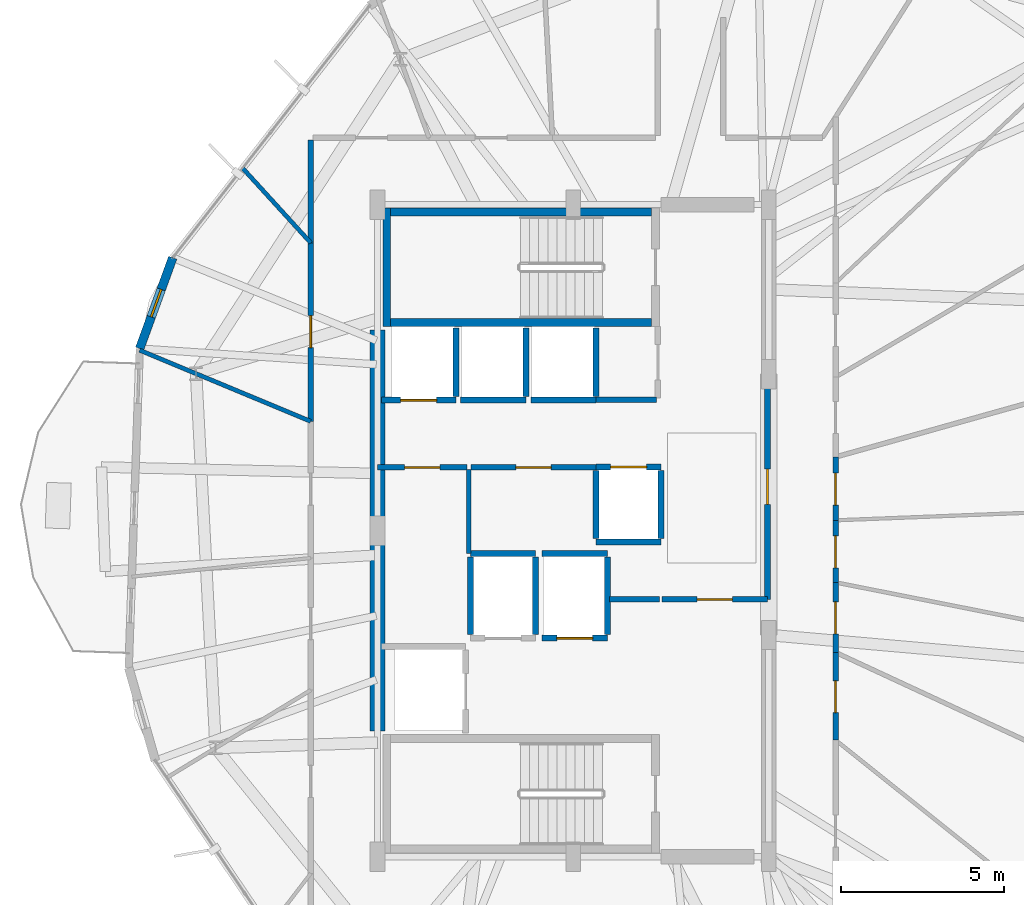
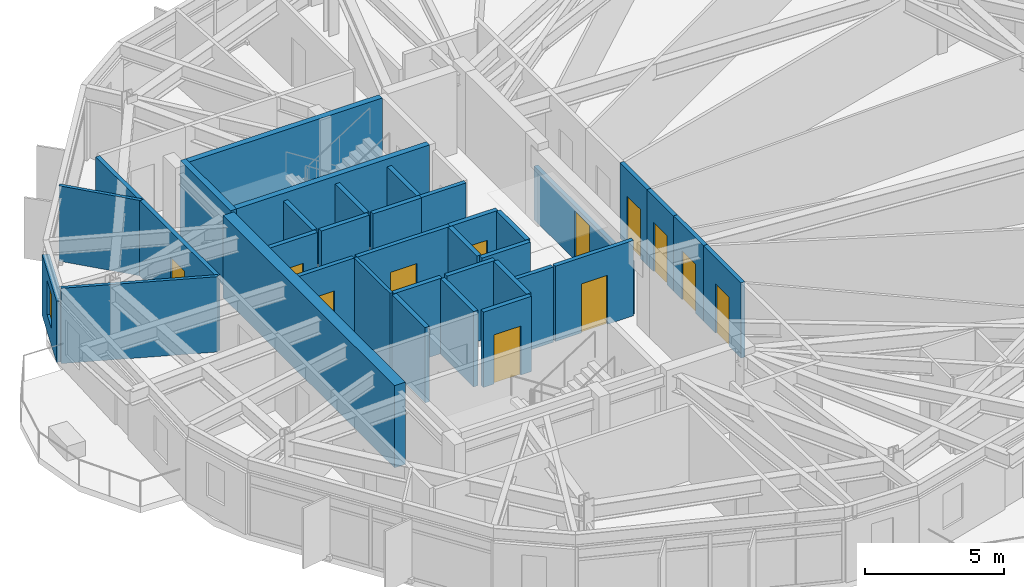
# One storey, part 25 of 30: 36 walls, 12 doors, 1 window, 13 openings.
"""IFC4 building model written with IfcOpenShell, lengths in metres."""

from ifc_helpers import new_model, si_unit, direction, frame, frame_2d, origin, place, context, subcontext, project, spatial, rectangle, extrude, material, layer, layer_set, type_object, element, fill, save


model = new_model("IFC4")

# Units and contexts
model_context = context("Model", 3, precision=1e-05, world=origin(), true_north=direction((0.0, 1.0)))
body_context = subcontext(model_context, "Body", "Model", "MODEL_VIEW")
ifc_project = project(units=[si_unit("LENGTHUNIT", "METRE"), si_unit("AREAUNIT", "SQUARE_METRE"), si_unit("VOLUMEUNIT", "CUBIC_METRE"), si_unit("PLANEANGLEUNIT", "RADIAN"), si_unit("MASSUNIT", "GRAM", prefix="KILO")], contexts=[model_context])

# Site, building, storey
site_placement = place(None, origin())
site = spatial("IfcSite", under=ifc_project, at=site_placement, CompositionType="ELEMENT")
building_placement = place(site_placement, origin())
building = spatial("IfcBuilding", under=site, at=building_placement, Name="Soratama Intermodal Tower", CompositionType="ELEMENT")
storey_placement = place(building_placement, frame((0.0, 0.0, 223.0)))
storey = spatial("IfcBuildingStorey", under=building, at=storey_placement, Name="L56", CompositionType="ELEMENT", Elevation=223.0)

# Wall, opening, window
ifc_material_1 = material(Name="Concrete f'c 42 MPa", Category="concrete")
ifc_layer_1 = layer(ifc_material_1, 0.27001953125)
ifc_layer_set_1 = layer_set([ifc_layer_1], Name="Concrete f'c 42 MPa")
wall_type_1 = type_object("IfcWallType", Name="EW-CRN-270", PredefinedType="SOLIDWALL", material=ifc_layer_set_1)
wall_1_placement = place(storey_placement, frame((26.317626953125, 33.37060546875, 0.0), z_axis=(0.0, 0.0, 1.0), x_axis=(-0.341716630291, -0.939803034993, 0.0)))
wall_1 = element("IfcWall", 1, at=wall_1_placement, inside=storey, type_object=wall_type_1, Name="L56 Corner Closure Wall 03", PredefinedType="SOLIDWALL", context=body_context, shape_type="SweptSolid", body=[
    extrude(rectangle(XDim=2.96630859375, YDim=0.27001953125, at=frame_2d((1.483154296875, 0.0))), origin(), (0.0, 0.0, 1.0), 2.678955078125),
])
opening_1_placement = place(wall_1_placement, frame((1.033203125, 0.0, 0.75)))
opening_1 = element("IfcOpeningElement", 2, at=opening_1_placement, cuts=wall_1, Name="Opening WN-6", PredefinedType="OPENING", context=body_context, shape_type="SweptSolid", body=[
    extrude(rectangle(XDim=0.89990234375, YDim=1.5, at=frame_2d((0.449951171875, 0.75))), frame((0.0, 0.14501953125, 0.0), z_axis=(0.0, -1.0, 0.0), x_axis=(1.0, 0.0, 0.0)), (0.0, 0.0, 1.0), 0.2900390625),
])
ifc_material_2 = material(Name="Double-glazed aluminium window", Category="aluminium")
window_type = type_object("IfcWindowType", Name="WN-FAC-900", PartitioningType="SINGLE_PANEL", PredefinedType="WINDOW", material=ifc_material_2)
window_placement = place(opening_1_placement, origin())
window = element("IfcWindow", 3, at=window_placement, inside=storey, type_object=window_type, Name="L56 Corner Window 03", OverallHeight=1.5, OverallWidth=0.89990234375, PartitioningType="SINGLE_PANEL", PredefinedType="WINDOW", context=body_context, shape_type="SweptSolid", body=[
    extrude(rectangle(XDim=0.89990234375, YDim=1.5, at=frame_2d((0.449951171875, 0.75))), frame((0.0, 0.030029296875, 0.0), z_axis=(0.0, -1.0, 0.0), x_axis=(1.0, 0.0, 0.0)), (0.0, 0.0, 1.0), 0.06005859375),
])
fill(opening_1, window)

# Wall, opening, door
ifc_material_3 = material(Name="Fire-rated gypsum stud partition", Category="concrete")
ifc_layer_2 = layer(ifc_material_3, 0.169921875)
ifc_layer_set_2 = layer_set([ifc_layer_2], Name="Fire-rated gypsum stud partition")
wall_type_2 = type_object("IfcWallType", Name="IW-PART-R170", PredefinedType="PARTITIONING", material=ifc_layer_set_2)
wall_2_placement = place(storey_placement, frame((44.56005859375, 29.800048828125, 0.0), z_axis=(0.0, 0.0, 1.0), x_axis=(0.0, -1.0, 0.0)))
wall_2 = element("IfcWall", 4, at=wall_2_placement, inside=storey, type_object=wall_type_2, Name="L56 Partition W-L56-TP012", PredefinedType="PARTITIONING", context=body_context, shape_type="SweptSolid", body=[
    extrude(rectangle(XDim=6.91015625, YDim=0.169921875, at=frame_2d((3.455078125, 0.0))), origin(), (0.0, 0.0, 1.0), 2.340087890625),
])
opening_2_placement = place(wall_2_placement, frame((2.9150390625, 0.0, 0.0)))
opening_2 = element("IfcOpeningElement", 5, at=opening_2_placement, cuts=wall_2, Name="Opening ID-1", PredefinedType="OPENING", context=body_context, shape_type="SweptSolid", body=[
    extrude(rectangle(XDim=1.080078125, YDim=2.14990234375, at=frame_2d((0.5400390625, 1.074951171875))), frame((0.0, 0.094970703125, 0.0), z_axis=(0.0, -1.0, 0.0), x_axis=(1.0, 0.0, 0.0)), (0.0, 0.0, 1.0), 0.18994140625),
])
ifc_material_4 = material(Name="Solid hardwood acoustic door", Category="wood")
door_type_1 = type_object("IfcDoorType", Name="DR-LOB-FD60", OperationType="NOTDEFINED", PredefinedType="DOOR", material=ifc_material_4)
door_1_placement = place(opening_2_placement, origin())
door_1 = element("IfcDoor", 6, at=door_1_placement, inside=storey, type_object=door_type_1, Name="L56 Door D-L56-TP003", OperationType="SINGLE_SWING_RIGHT", OverallHeight=2.14990234375, OverallWidth=1.080078125, PredefinedType="DOOR", context=body_context, shape_type="SweptSolid", body=[
    extrude(rectangle(XDim=1.080078125, YDim=2.14990234375, at=frame_2d((0.5400390625, 1.074951171875))), frame((0.0, 0.02490234375, 0.0), z_axis=(0.0, -1.0, 0.0), x_axis=(1.0, 0.0, 0.0)), (0.0, 0.0, 1.0), 0.050048828125),
])
fill(opening_2, door_1)

wall_3_placement = place(storey_placement, frame((30.550048828125, 28.35107421875, 0.0), z_axis=(0.0, 0.0, 1.0), x_axis=(0.0, 1.0, 0.0)))
wall_3 = element("IfcWall", 7, at=wall_3_placement, inside=storey, type_object=wall_type_2, Name="L56 Partition W-L56-TP018", PredefinedType="PARTITIONING", context=body_context, shape_type="SweptSolid", body=[
    extrude(rectangle(XDim=5.475830078125, YDim=0.169921875, at=frame_2d((2.73779296875, 0.0))), origin(), (0.0, 0.0, 1.0), 3.300048828125),
])
opening_3_placement = place(wall_3_placement, frame((2.262939453125, 0.0, 0.0)))
opening_3 = element("IfcOpeningElement", 8, at=opening_3_placement, cuts=wall_3, Name="Opening ID-5", PredefinedType="OPENING", context=body_context, shape_type="SweptSolid", body=[
    extrude(rectangle(XDim=0.97998046875, YDim=2.14990234375, at=frame_2d((0.489990234375, 1.074951171875))), frame((0.0, 0.094970703125, 0.0), z_axis=(0.0, -1.0, 0.0), x_axis=(1.0, 0.0, 0.0)), (0.0, 0.0, 1.0), 0.18994140625),
])
ifc_material_5 = material(Name="Solid hardwood acoustic door", Category="wood")
door_type_2 = type_object("IfcDoorType", Name="DR-OFF-980", OperationType="NOTDEFINED", PredefinedType="DOOR", material=ifc_material_5)
door_2_placement = place(opening_3_placement, origin())
door_2 = element("IfcDoor", 9, at=door_2_placement, inside=storey, type_object=door_type_2, Name="L56 Door D-L56-TP006", OperationType="SINGLE_SWING_LEFT", OverallHeight=2.14990234375, OverallWidth=0.97998046875, PredefinedType="DOOR", context=body_context, shape_type="SweptSolid", body=[
    extrude(rectangle(XDim=0.97998046875, YDim=2.14990234375, at=frame_2d((0.489990234375, 1.074951171875))), frame((0.0, 0.02490234375, 0.0), z_axis=(0.0, -1.0, 0.0), x_axis=(1.0, 0.0, 0.0)), (0.0, 0.0, 1.0), 0.050048828125),
])
fill(opening_3, door_2)

wall_4_placement = place(storey_placement, frame((39.300048828125, 26.93994140625, 0.0), z_axis=(0.0, 0.0, 1.0), x_axis=(-1.0, 0.0, 0.0)))
wall_4 = element("IfcWall", 10, at=wall_4_placement, inside=storey, type_object=wall_type_2, Name="L56 Partition W-L56-TP027", PredefinedType="PARTITIONING", context=body_context, shape_type="SweptSolid", body=[
    extrude(rectangle(XDim=3.840087890625, YDim=0.169921875, at=frame_2d((1.919921875, 0.0))), origin(), (0.0, 0.0, 1.0), 3.300048828125),
])
opening_4_placement = place(wall_4_placement, frame((1.3798828125, 0.0, 0.0)))
opening_4 = element("IfcOpeningElement", 11, at=opening_4_placement, cuts=wall_4, Name="Opening ID-1", PredefinedType="OPENING", context=body_context, shape_type="SweptSolid", body=[
    extrude(rectangle(XDim=1.080078125, YDim=2.14990234375, at=frame_2d((0.5400390625, 1.074951171875))), frame((0.0, 0.094970703125, 0.0), z_axis=(0.0, -1.0, 0.0), x_axis=(1.0, 0.0, 0.0)), (0.0, 0.0, 1.0), 0.18994140625),
])
door_3_placement = place(opening_4_placement, origin())
door_3 = element("IfcDoor", 12, at=door_3_placement, inside=storey, type_object=door_type_1, Name="L56 Door D-L56-TP011", OperationType="SINGLE_SWING_RIGHT", OverallHeight=2.14990234375, OverallWidth=1.080078125, PredefinedType="DOOR", context=body_context, shape_type="SweptSolid", body=[
    extrude(rectangle(XDim=1.080078125, YDim=2.14990234375, at=frame_2d((0.5400390625, 1.074951171875))), frame((0.0, 0.02490234375, 0.0), z_axis=(0.0, -1.0, 0.0), x_axis=(1.0, 0.0, 0.0)), (0.0, 0.0, 1.0), 0.050048828125),
])
fill(opening_4, door_3)

wall_5_placement = place(storey_placement, frame((41.320068359375, 22.889892578125, 0.0), z_axis=(0.0, 0.0, 1.0), x_axis=(1.0, 0.0, 0.0)))
wall_5 = element("IfcWall", 13, at=wall_5_placement, inside=storey, type_object=wall_type_2, Name="L56 Partition W-L56-TP030", PredefinedType="PARTITIONING", context=body_context, shape_type="SweptSolid", body=[
    extrude(rectangle(XDim=3.239990234375, YDim=0.169921875, at=frame_2d((1.6201171875, 0.0))), origin(), (0.0, 0.0, 1.0), 3.300048828125),
])
opening_5_placement = place(wall_5_placement, frame((1.080078125, 0.0, 0.0)))
opening_5 = element("IfcOpeningElement", 14, at=opening_5_placement, cuts=wall_5, Name="Opening ID-0", PredefinedType="OPENING", context=body_context, shape_type="SweptSolid", body=[
    extrude(rectangle(XDim=1.080078125, YDim=2.14990234375, at=frame_2d((0.5400390625, 1.074951171875))), frame((0.0, 0.094970703125, 0.0), z_axis=(0.0, -1.0, 0.0), x_axis=(1.0, 0.0, 0.0)), (0.0, 0.0, 1.0), 0.18994140625),
])
ifc_material_6 = material(Name="Solid hardwood acoustic door", Category="wood")
door_type_3 = type_object("IfcDoorType", Name="DR-LOB-FD90", OperationType="NOTDEFINED", PredefinedType="DOOR", material=ifc_material_6)
door_4_placement = place(opening_5_placement, origin())
door_4 = element("IfcDoor", 15, at=door_4_placement, inside=storey, type_object=door_type_3, Name="L56 Door D-L56-TP014", OperationType="SINGLE_SWING_LEFT", OverallHeight=2.14990234375, OverallWidth=1.080078125, PredefinedType="DOOR", context=body_context, shape_type="SweptSolid", body=[
    extrude(rectangle(XDim=1.080078125, YDim=2.14990234375, at=frame_2d((0.5400390625, 1.074951171875))), frame((0.0, 0.02490234375, 0.0), z_axis=(0.0, -1.0, 0.0), x_axis=(1.0, 0.0, 0.0)), (0.0, 0.0, 1.0), 0.050048828125),
])
fill(opening_5, door_4)

# Wall
wall_6_placement = place(storey_placement, frame((30.550048828125, 33.826904296875, 0.0), z_axis=(0.0, 0.0, 1.0), x_axis=(0.0, 1.0, 0.0)))
element("IfcWall", 16, at=wall_6_placement, inside=storey, type_object=wall_type_2, Name="L56 Partition W-L56-TP033", PredefinedType="PARTITIONING", context=body_context, shape_type="SweptSolid", body=[
    extrude(rectangle(XDim=3.153076171875, YDim=0.169921875, at=frame_2d((1.57666015625, 0.0))), origin(), (0.0, 0.0, 1.0), 3.300048828125),
])

# Wall, opening, door
wall_7_placement = place(storey_placement, frame((35.340087890625, 26.93994140625, 0.0), z_axis=(0.0, 0.0, 1.0), x_axis=(-1.0, 0.0, 0.0)))
wall_7 = element("IfcWall", 17, at=wall_7_placement, inside=storey, type_object=wall_type_2, Name="L56 Partition W-L56-TP037", PredefinedType="PARTITIONING", context=body_context, shape_type="SweptSolid", body=[
    extrude(rectangle(XDim=2.739990234375, YDim=0.169921875, at=frame_2d((1.3701171875, 0.0))), origin(), (0.0, 0.0, 1.0), 3.300048828125),
])
opening_6_placement = place(wall_7_placement, frame((0.830078125, 0.0, 0.0)))
opening_6 = element("IfcOpeningElement", 18, at=opening_6_placement, cuts=wall_7, Name="Opening ID-1", PredefinedType="OPENING", context=body_context, shape_type="SweptSolid", body=[
    extrude(rectangle(XDim=1.080078125, YDim=2.14990234375, at=frame_2d((0.5400390625, 1.074951171875))), frame((0.0, 0.094970703125, 0.0), z_axis=(0.0, -1.0, 0.0), x_axis=(1.0, 0.0, 0.0)), (0.0, 0.0, 1.0), 0.18994140625),
])
door_5_placement = place(opening_6_placement, origin())
door_5 = element("IfcDoor", 19, at=door_5_placement, inside=storey, type_object=door_type_1, Name="L56 Door D-L56-TP017", OperationType="SINGLE_SWING_RIGHT", OverallHeight=2.14990234375, OverallWidth=1.080078125, PredefinedType="DOOR", context=body_context, shape_type="SweptSolid", body=[
    extrude(rectangle(XDim=1.080078125, YDim=2.14990234375, at=frame_2d((0.5400390625, 1.074951171875))), frame((0.0, 0.02490234375, 0.0), z_axis=(0.0, -1.0, 0.0), x_axis=(1.0, 0.0, 0.0)), (0.0, 0.0, 1.0), 0.050048828125),
])
fill(opening_6, door_5)

wall_8_placement = place(storey_placement, frame((46.64990234375, 21.264892578125, 0.0), z_axis=(0.0, 0.0, 1.0), x_axis=(0.0, -1.0, 0.0)))
wall_8 = element("IfcWall", 20, at=wall_8_placement, inside=storey, type_object=wall_type_2, Name="L56 Partition W-L56-TP038", PredefinedType="PARTITIONING", context=body_context, shape_type="SweptSolid", body=[
    extrude(rectangle(XDim=2.69189453125, YDim=0.169921875, at=frame_2d((1.345947265625, 0.0))), origin(), (0.0, 0.0, 1.0), 3.300048828125),
])
opening_7_placement = place(wall_8_placement, frame((0.87109375, 0.0, 0.0)))
opening_7 = element("IfcOpeningElement", 21, at=opening_7_placement, cuts=wall_8, Name="Opening ID-5", PredefinedType="OPENING", context=body_context, shape_type="SweptSolid", body=[
    extrude(rectangle(XDim=0.97998046875, YDim=2.14990234375, at=frame_2d((0.489990234375, 1.074951171875))), frame((0.0, 0.094970703125, 0.0), z_axis=(0.0, -1.0, 0.0), x_axis=(1.0, 0.0, 0.0)), (0.0, 0.0, 1.0), 0.18994140625),
])
door_6_placement = place(opening_7_placement, origin())
door_6 = element("IfcDoor", 22, at=door_6_placement, inside=storey, type_object=door_type_2, Name="L56 Door D-L56-TP018", OperationType="SINGLE_SWING_LEFT", OverallHeight=2.14990234375, OverallWidth=0.97998046875, PredefinedType="DOOR", context=body_context, shape_type="SweptSolid", body=[
    extrude(rectangle(XDim=0.97998046875, YDim=2.14990234375, at=frame_2d((0.489990234375, 1.074951171875))), frame((0.0, 0.02490234375, 0.0), z_axis=(0.0, -1.0, 0.0), x_axis=(1.0, 0.0, 0.0)), (0.0, 0.0, 1.0), 0.050048828125),
])
fill(opening_7, door_6)

wall_9_placement = place(storey_placement, frame((46.64990234375, 23.409912109375, 0.0), z_axis=(0.0, 0.0, 1.0), x_axis=(0.0, -1.0, 0.0)))
wall_9 = element("IfcWall", 23, at=wall_9_placement, inside=storey, type_object=wall_type_2, Name="L56 Partition W-L56-TP046", PredefinedType="PARTITIONING", context=body_context, shape_type="SweptSolid", body=[
    extrude(rectangle(XDim=2.14501953125, YDim=0.169921875, at=frame_2d((1.072509765625, 0.0))), origin(), (0.0, 0.0, 1.0), 3.300048828125),
])
opening_8_placement = place(wall_9_placement, frame((0.596923828125, 0.0, 0.0)))
opening_8 = element("IfcOpeningElement", 24, at=opening_8_placement, cuts=wall_9, Name="Opening ID-5", PredefinedType="OPENING", context=body_context, shape_type="SweptSolid", body=[
    extrude(rectangle(XDim=0.97998046875, YDim=2.14990234375, at=frame_2d((0.489990234375, 1.074951171875))), frame((0.0, 0.094970703125, 0.0), z_axis=(0.0, -1.0, 0.0), x_axis=(1.0, 0.0, 0.0)), (0.0, 0.0, 1.0), 0.18994140625),
])
door_7_placement = place(opening_8_placement, origin())
door_7 = element("IfcDoor", 25, at=door_7_placement, inside=storey, type_object=door_type_2, Name="L56 Door D-L56-TP022", OperationType="SINGLE_SWING_LEFT", OverallHeight=2.14990234375, OverallWidth=0.97998046875, PredefinedType="DOOR", context=body_context, shape_type="SweptSolid", body=[
    extrude(rectangle(XDim=0.97998046875, YDim=2.14990234375, at=frame_2d((0.489990234375, 1.074951171875))), frame((0.0, 0.02490234375, 0.0), z_axis=(0.0, -1.0, 0.0), x_axis=(1.0, 0.0, 0.0)), (0.0, 0.0, 1.0), 0.050048828125),
])
fill(opening_8, door_7)

wall_10_placement = place(storey_placement, frame((46.64990234375, 27.258056640625, 0.0), z_axis=(0.0, 0.0, 1.0), x_axis=(0.0, -1.0, 0.0)))
wall_10 = element("IfcWall", 26, at=wall_10_placement, inside=storey, type_object=wall_type_2, Name="L56 Partition W-L56-TP048", PredefinedType="PARTITIONING", context=body_context, shape_type="SweptSolid", body=[
    extrude(rectangle(XDim=1.942138671875, YDim=0.169921875, at=frame_2d((0.97119140625, 0.0))), origin(), (0.0, 0.0, 1.0), 3.300048828125),
])
opening_9_placement = place(wall_10_placement, frame((0.49609375, 0.0, 0.0)))
opening_9 = element("IfcOpeningElement", 27, at=opening_9_placement, cuts=wall_10, Name="Opening ID-5", PredefinedType="OPENING", context=body_context, shape_type="SweptSolid", body=[
    extrude(rectangle(XDim=0.97998046875, YDim=2.14990234375, at=frame_2d((0.489990234375, 1.074951171875))), frame((0.0, 0.094970703125, 0.0), z_axis=(0.0, -1.0, 0.0), x_axis=(1.0, 0.0, 0.0)), (0.0, 0.0, 1.0), 0.18994140625),
])
door_8_placement = place(opening_9_placement, origin())
door_8 = element("IfcDoor", 28, at=door_8_placement, inside=storey, type_object=door_type_2, Name="L56 Door D-L56-TP023", OperationType="SINGLE_SWING_RIGHT", OverallHeight=2.14990234375, OverallWidth=0.97998046875, PredefinedType="DOOR", context=body_context, shape_type="SweptSolid", body=[
    extrude(rectangle(XDim=0.97998046875, YDim=2.14990234375, at=frame_2d((0.489990234375, 1.074951171875))), frame((0.0, 0.02490234375, 0.0), z_axis=(0.0, -1.0, 0.0), x_axis=(1.0, 0.0, 0.0)), (0.0, 0.0, 1.0), 0.050048828125),
])
fill(opening_9, door_8)

wall_11_placement = place(storey_placement, frame((46.64990234375, 25.31591796875, 0.0), z_axis=(0.0, 0.0, 1.0), x_axis=(0.0, -1.0, 0.0)))
wall_11 = element("IfcWall", 29, at=wall_11_placement, inside=storey, type_object=wall_type_2, Name="L56 Partition W-L56-TP049", PredefinedType="PARTITIONING", context=body_context, shape_type="SweptSolid", body=[
    extrude(rectangle(XDim=1.906005859375, YDim=0.169921875, at=frame_2d((0.953125, 0.0))), origin(), (0.0, 0.0, 1.0), 3.300048828125),
])
opening_10_placement = place(wall_11_placement, frame((0.47802734375, 0.0, 0.0)))
opening_10 = element("IfcOpeningElement", 30, at=opening_10_placement, cuts=wall_11, Name="Opening ID-5", PredefinedType="OPENING", context=body_context, shape_type="SweptSolid", body=[
    extrude(rectangle(XDim=0.97998046875, YDim=2.14990234375, at=frame_2d((0.489990234375, 1.074951171875))), frame((0.0, 0.094970703125, 0.0), z_axis=(0.0, -1.0, 0.0), x_axis=(1.0, 0.0, 0.0)), (0.0, 0.0, 1.0), 0.18994140625),
])
door_9_placement = place(opening_10_placement, origin())
door_9 = element("IfcDoor", 31, at=door_9_placement, inside=storey, type_object=door_type_2, Name="L56 Door D-L56-TP024", OperationType="SINGLE_SWING_LEFT", OverallHeight=2.14990234375, OverallWidth=0.97998046875, PredefinedType="DOOR", context=body_context, shape_type="SweptSolid", body=[
    extrude(rectangle(XDim=0.97998046875, YDim=2.14990234375, at=frame_2d((0.489990234375, 1.074951171875))), frame((0.0, 0.02490234375, 0.0), z_axis=(0.0, -1.0, 0.0), x_axis=(1.0, 0.0, 0.0)), (0.0, 0.0, 1.0), 0.050048828125),
])
fill(opening_10, door_9)

# Walls
wall_12_placement = place(storey_placement, frame((39.300048828125, 29.010009765625, 0.0), z_axis=(0.0, 0.0, 1.0), x_axis=(1.0, 0.0, 0.0)))
element("IfcWall", 32, at=wall_12_placement, inside=storey, type_object=wall_type_2, Name="L56 Partition W-L56-TP050", PredefinedType="PARTITIONING", context=body_context, shape_type="SweptSolid", body=[
    extrude(rectangle(XDim=1.85986328125, YDim=0.169921875, at=frame_2d((0.929931640625, 0.0))), origin(), (0.0, 0.0, 1.0), 3.300048828125),
])
wall_13_placement = place(storey_placement, frame((39.719970703125, 22.889892578125, 0.0), z_axis=(0.0, 0.0, 1.0), x_axis=(1.0, 0.0, 0.0)))
element("IfcWall", 33, at=wall_13_placement, inside=storey, type_object=wall_type_2, Name="L56 Partition W-L56-TP051", PredefinedType="PARTITIONING", context=body_context, shape_type="SweptSolid", body=[
    extrude(rectangle(XDim=1.52001953125, YDim=0.169921875, at=frame_2d((0.760009765625, 0.0))), origin(), (0.0, 0.0, 1.0), 3.300048828125),
])
ifc_material_7 = material(Name="Fire-rated gypsum stud partition", Category="concrete")
ifc_layer_3 = layer(ifc_material_7, 0.1298828125)
ifc_layer_set_3 = layer_set([ifc_layer_3], Name="Fire-rated gypsum stud partition")
wall_type_3 = type_object("IfcWallType", Name="IW-PART-S130", PredefinedType="PARTITIONING", material=ifc_layer_set_3)
wall_14_placement = place(storey_placement, frame((30.550048828125, 28.35107421875, 0.0), z_axis=(0.0, 0.0, 1.0), x_axis=(-0.923315654645, 0.384041927251, 0.0)))
element("IfcWall", 34, at=wall_14_placement, inside=storey, type_object=wall_type_3, Name="L56 Partition W-L56-TP014", PredefinedType="PARTITIONING", context=body_context, shape_type="SweptSolid", body=[
    extrude(rectangle(XDim=5.683837890625, YDim=0.1298828125, at=frame_2d((2.841796875, 0.0))), origin(), (0.0, 0.0, 1.0), 3.300048828125),
])
wall_15_placement = place(storey_placement, frame((30.550048828125, 33.826904296875, 0.0), z_axis=(0.0, 0.0, 1.0), x_axis=(-0.673781691583, 0.738930464988, 0.0)))
element("IfcWall", 35, at=wall_15_placement, inside=storey, type_object=wall_type_3, Name="L56 Partition W-L56-TP034", PredefinedType="PARTITIONING", context=body_context, shape_type="SweptSolid", body=[
    extrude(rectangle(XDim=3.09912109375, YDim=0.1298828125, at=frame_2d((1.549560546875, 0.0))), origin(), (0.0, 0.0, 1.0), 3.300048828125),
])
wall_16_placement = place(storey_placement, frame((35.39990234375, 26.8798828125, 0.0), z_axis=(0.0, 0.0, 1.0), x_axis=(0.0, -1.0, 0.0)))
element("IfcWall", 36, at=wall_16_placement, inside=storey, type_object=wall_type_3, Name="L56 Partition W-L56-TP039", PredefinedType="PARTITIONING", context=body_context, shape_type="SweptSolid", body=[
    extrude(rectangle(XDim=2.579833984375, YDim=0.1298828125, at=frame_2d((1.2900390625, 0.0))), origin(), (0.0, 0.0, 1.0), 3.300048828125),
])
ifc_material_8 = material(Name="Concrete f'c 42 MPa", Category="concrete")
ifc_layer_4 = layer(ifc_material_8, 0.18505859375)
ifc_layer_set_4 = layer_set([ifc_layer_4], Name="Concrete f'c 42 MPa")
wall_type_4 = type_object("IfcWallType", Name="IW-SHAFT-185", PredefinedType="SOLIDWALL", material=ifc_layer_set_4)
wall_17_placement = place(storey_placement, frame((35.449951171875, 24.300048828125, 0.0), z_axis=(0.0, 0.0, 1.0), x_axis=(1.0, 0.0, 0.0)))
element("IfcWall", 37, at=wall_17_placement, inside=storey, type_object=wall_type_4, Name="L56 FFL-1 Hoistway Wall N", PredefinedType="SOLIDWALL", context=body_context, shape_type="SweptSolid", body=[
    extrude(rectangle(XDim=2.0, YDim=0.18505859375, at=frame_2d((1.0, 0.0))), origin(), (0.0, 0.0, 1.0), 3.300048828125),
])
for number, where, z_axis, x_axis, name in (
    (38, (35.449951171875, 21.81005859375, 0.0), (0.0, 0.0, 1.0), (0.0, 1.0, 0.0), "L56 FFL-1 Hoistway Wall W"),
    (39, (37.449951171875, 21.81005859375, 0.0), (0.0, 0.0, 1.0), (0.0, 1.0, 0.0), "L56 FFL-1 Hoistway Wall E"),
):
    element("IfcWall", number, at=place(storey_placement, frame(where, z_axis=z_axis, x_axis=x_axis)), inside=storey, type_object=wall_type_4, Name=name, PredefinedType="SOLIDWALL", context=body_context, shape_type="SweptSolid", body=[
        extrude(rectangle(XDim=2.3798828125, YDim=0.18505859375, at=frame_2d((1.18994140625, 0.0))), origin(), (0.0, 0.0, 1.0), 3.300048828125),
    ])

# Wall, opening, door
wall_18_placement = place(storey_placement, frame((37.64990234375, 21.699951171875, 0.0), z_axis=(0.0, 0.0, 1.0), x_axis=(1.0, 0.0, 0.0)))
wall_18 = element("IfcWall", 40, at=wall_18_placement, inside=storey, type_object=wall_type_4, Name="L56 FFL-2 Hoistway Wall S", PredefinedType="SOLIDWALL", context=body_context, shape_type="SweptSolid", body=[
    extrude(rectangle(XDim=2.0, YDim=0.18505859375, at=frame_2d((1.0, 0.0))), origin(), (0.0, 0.0, 1.0), 3.300048828125),
])
opening_11_placement = place(wall_18_placement, frame((0.449951171875, 0.0, 0.0)))
opening_11 = element("IfcOpeningElement", 41, at=opening_11_placement, cuts=wall_18, Name="Opening LD-1", PredefinedType="OPENING", context=body_context, shape_type="SweptSolid", body=[
    extrude(rectangle(XDim=1.10009765625, YDim=2.14990234375, at=frame_2d((0.550048828125, 1.074951171875))), frame((0.0, 0.1025390625, 0.0), z_axis=(0.0, -1.0, 0.0), x_axis=(1.0, 0.0, 0.0)), (0.0, 0.0, 1.0), 0.205078125),
])
ifc_material_9 = material(Name="Steel fire door", Category="steel")
door_type_4 = type_object("IfcDoorType", Name="DR-LIFT-SLIDE", OperationType="NOTDEFINED", PredefinedType="DOOR", material=ifc_material_9)
door_10_placement = place(opening_11_placement, origin())
door_10 = element("IfcDoor", 42, at=door_10_placement, inside=storey, type_object=door_type_4, Name="L56 FFL-2 Sliding Landing Door", OperationType="SLIDING_TO_LEFT", OverallHeight=2.14990234375, OverallWidth=1.10009765625, PredefinedType="DOOR", context=body_context, shape_type="SweptSolid", body=[
    extrude(rectangle(XDim=1.10009765625, YDim=2.14990234375, at=frame_2d((0.550048828125, 1.074951171875))), frame((0.0, 0.02490234375, 0.0), z_axis=(0.0, -1.0, 0.0), x_axis=(1.0, 0.0, 0.0)), (0.0, 0.0, 1.0), 0.050048828125),
])
fill(opening_11, door_10)

# Walls
wall_19_placement = place(storey_placement, frame((37.64990234375, 24.300048828125, 0.0), z_axis=(0.0, 0.0, 1.0), x_axis=(1.0, 0.0, 0.0)))
element("IfcWall", 43, at=wall_19_placement, inside=storey, type_object=wall_type_4, Name="L56 FFL-2 Hoistway Wall N", PredefinedType="SOLIDWALL", context=body_context, shape_type="SweptSolid", body=[
    extrude(rectangle(XDim=2.0, YDim=0.18505859375, at=frame_2d((1.0, 0.0))), origin(), (0.0, 0.0, 1.0), 3.300048828125),
])
wall_20_placement = place(storey_placement, frame((39.64990234375, 21.81005859375, 0.0), z_axis=(0.0, 0.0, 1.0), x_axis=(0.0, 1.0, 0.0)))
element("IfcWall", 44, at=wall_20_placement, inside=storey, type_object=wall_type_4, Name="L56 FFL-2 Hoistway Wall E", PredefinedType="SOLIDWALL", context=body_context, shape_type="SweptSolid", body=[
    extrude(rectangle(XDim=2.3798828125, YDim=0.18505859375, at=frame_2d((1.18994140625, 0.0))), origin(), (0.0, 0.0, 1.0), 3.300048828125),
])
wall_21_placement = place(storey_placement, frame((39.300048828125, 24.64990234375, 0.0), z_axis=(0.0, 0.0, 1.0), x_axis=(1.0, 0.0, 0.0)))
element("IfcWall", 45, at=wall_21_placement, inside=storey, type_object=wall_type_4, Name="L56 PL-M1 Hoistway Wall S", PredefinedType="SOLIDWALL", context=body_context, shape_type="SweptSolid", body=[
    extrude(rectangle(XDim=2.0, YDim=0.18505859375, at=frame_2d((1.0, 0.0))), origin(), (0.0, 0.0, 1.0), 3.300048828125),
])

# Wall, opening, door
wall_22_placement = place(storey_placement, frame((39.300048828125, 26.949951171875, 0.0), z_axis=(0.0, 0.0, 1.0), x_axis=(1.0, 0.0, 0.0)))
wall_22 = element("IfcWall", 46, at=wall_22_placement, inside=storey, type_object=wall_type_4, Name="L56 PL-M1 Hoistway Wall N", PredefinedType="SOLIDWALL", context=body_context, shape_type="SweptSolid", body=[
    extrude(rectangle(XDim=2.0, YDim=0.18505859375, at=frame_2d((1.0, 0.0))), origin(), (0.0, 0.0, 1.0), 3.300048828125),
])
opening_12_placement = place(wall_22_placement, frame((0.449951171875, 0.0, 0.0)))
opening_12 = element("IfcOpeningElement", 47, at=opening_12_placement, cuts=wall_22, Name="Opening LD-1", PredefinedType="OPENING", context=body_context, shape_type="SweptSolid", body=[
    extrude(rectangle(XDim=1.10009765625, YDim=2.14990234375, at=frame_2d((0.550048828125, 1.074951171875))), frame((0.0, 0.1025390625, 0.0), z_axis=(0.0, -1.0, 0.0), x_axis=(1.0, 0.0, 0.0)), (0.0, 0.0, 1.0), 0.205078125),
])
door_11_placement = place(opening_12_placement, origin())
door_11 = element("IfcDoor", 48, at=door_11_placement, inside=storey, type_object=door_type_4, Name="L56 PL-M1 Sliding Landing Door", OperationType="SLIDING_TO_LEFT", OverallHeight=2.14990234375, OverallWidth=1.10009765625, PredefinedType="DOOR", context=body_context, shape_type="SweptSolid", body=[
    extrude(rectangle(XDim=1.10009765625, YDim=2.14990234375, at=frame_2d((0.550048828125, 1.074951171875))), frame((0.0, 0.02490234375, 0.0), z_axis=(0.0, -1.0, 0.0), x_axis=(1.0, 0.0, 0.0)), (0.0, 0.0, 1.0), 0.050048828125),
])
fill(opening_12, door_11)

# Walls
for number, where, z_axis, x_axis, name in (
    (49, (39.300048828125, 24.760009765625, 0.0), (0.0, 0.0, 1.0), (0.0, 1.0, 0.0), "L56 PL-M1 Hoistway Wall W"),
    (50, (41.300048828125, 24.760009765625, 0.0), (0.0, 0.0, 1.0), (0.0, 1.0, 0.0), "L56 PL-M1 Hoistway Wall E"),
):
    element("IfcWall", number, at=place(storey_placement, frame(where, z_axis=z_axis, x_axis=x_axis)), inside=storey, type_object=wall_type_4, Name=name, PredefinedType="SOLIDWALL", context=body_context, shape_type="SweptSolid", body=[
        extrude(rectangle(XDim=2.080078125, YDim=0.18505859375, at=frame_2d((1.0400390625, 0.0))), origin(), (0.0, 0.0, 1.0), 3.300048828125),
    ])

# Wall, opening, door
wall_23_placement = place(storey_placement, frame((32.719970703125, 29.0, 0.0), z_axis=(0.0, 0.0, 1.0), x_axis=(1.0, 0.0, 0.0)))
wall_23 = element("IfcWall", 51, at=wall_23_placement, inside=storey, type_object=wall_type_4, Name="L56 PL-M2 Hoistway Wall S", PredefinedType="SOLIDWALL", context=body_context, shape_type="SweptSolid", body=[
    extrude(rectangle(XDim=2.280029296875, YDim=0.18505859375, at=frame_2d((1.14013671875, 0.0))), origin(), (0.0, 0.0, 1.0), 3.300048828125),
])
opening_13_placement = place(wall_23_placement, frame((0.590087890625, 0.0, 0.0)))
opening_13 = element("IfcOpeningElement", 52, at=opening_13_placement, cuts=wall_23, Name="Opening LD-1", PredefinedType="OPENING", context=body_context, shape_type="SweptSolid", body=[
    extrude(rectangle(XDim=1.10009765625, YDim=2.14990234375, at=frame_2d((0.550048828125, 1.074951171875))), frame((0.0, 0.1025390625, 0.0), z_axis=(0.0, -1.0, 0.0), x_axis=(1.0, 0.0, 0.0)), (0.0, 0.0, 1.0), 0.205078125),
])
door_12_placement = place(opening_13_placement, origin())
door_12 = element("IfcDoor", 53, at=door_12_placement, inside=storey, type_object=door_type_4, Name="L56 PL-M2 Sliding Landing Door", OperationType="SLIDING_TO_LEFT", OverallHeight=2.14990234375, OverallWidth=1.10009765625, PredefinedType="DOOR", context=body_context, shape_type="SweptSolid", body=[
    extrude(rectangle(XDim=1.10009765625, YDim=2.14990234375, at=frame_2d((0.550048828125, 1.074951171875))), frame((0.0, 0.02490234375, 0.0), z_axis=(0.0, -1.0, 0.0), x_axis=(1.0, 0.0, 0.0)), (0.0, 0.0, 1.0), 0.050048828125),
])
fill(opening_13, door_12)

# Walls
wall_24_placement = place(storey_placement, frame((35.0, 29.110107421875, 0.0), z_axis=(0.0, 0.0, 1.0), x_axis=(0.0, 1.0, 0.0)))
element("IfcWall", 54, at=wall_24_placement, inside=storey, type_object=wall_type_4, Name="L56 PL-M2 Hoistway Wall E", PredefinedType="SOLIDWALL", context=body_context, shape_type="SweptSolid", body=[
    extrude(rectangle(XDim=2.099853515625, YDim=0.18505859375, at=frame_2d((1.0498046875, 0.0))), origin(), (0.0, 0.0, 1.0), 3.300048828125),
])
wall_25_placement = place(storey_placement, frame((35.14990234375, 29.0, 0.0), z_axis=(0.0, 0.0, 1.0), x_axis=(1.0, 0.0, 0.0)))
element("IfcWall", 55, at=wall_25_placement, inside=storey, type_object=wall_type_4, Name="L56 PL-H1 Hoistway Wall S", PredefinedType="SOLIDWALL", context=body_context, shape_type="SweptSolid", body=[
    extrude(rectangle(XDim=2.0, YDim=0.18505859375, at=frame_2d((1.0, 0.0))), origin(), (0.0, 0.0, 1.0), 3.300048828125),
])
wall_26_placement = place(storey_placement, frame((37.14990234375, 29.110107421875, 0.0), z_axis=(0.0, 0.0, 1.0), x_axis=(0.0, 1.0, 0.0)))
element("IfcWall", 56, at=wall_26_placement, inside=storey, type_object=wall_type_4, Name="L56 PL-H1 Hoistway Wall E", PredefinedType="SOLIDWALL", context=body_context, shape_type="SweptSolid", body=[
    extrude(rectangle(XDim=2.099853515625, YDim=0.18505859375, at=frame_2d((1.0498046875, 0.0))), origin(), (0.0, 0.0, 1.0), 3.300048828125),
])
wall_27_placement = place(storey_placement, frame((37.300048828125, 29.0, 0.0), z_axis=(0.0, 0.0, 1.0), x_axis=(1.0, 0.0, 0.0)))
element("IfcWall", 57, at=wall_27_placement, inside=storey, type_object=wall_type_4, Name="L56 PL-H2 Hoistway Wall S", PredefinedType="SOLIDWALL", context=body_context, shape_type="SweptSolid", body=[
    extrude(rectangle(XDim=2.0, YDim=0.18505859375, at=frame_2d((1.0, 0.0))), origin(), (0.0, 0.0, 1.0), 3.300048828125),
])
wall_28_placement = place(storey_placement, frame((39.300048828125, 29.110107421875, 0.0), z_axis=(0.0, 0.0, 1.0), x_axis=(0.0, 1.0, 0.0)))
element("IfcWall", 58, at=wall_28_placement, inside=storey, type_object=wall_type_4, Name="L56 PL-H2 Hoistway Wall E", PredefinedType="SOLIDWALL", context=body_context, shape_type="SweptSolid", body=[
    extrude(rectangle(XDim=2.099853515625, YDim=0.18505859375, at=frame_2d((1.0498046875, 0.0))), origin(), (0.0, 0.0, 1.0), 3.300048828125),
])
ifc_material_10 = material(Name="Concrete f'c 56 MPa", Category="concrete")
ifc_layer_5 = layer(ifc_material_10, 0.449951171875)
ifc_layer_set_5 = layer_set([ifc_layer_5], Name="Concrete f'c 56 MPa")
wall_type_5 = type_object("IfcWallType", Name="SW-CORE-450", PredefinedType="SHEAR", material=ifc_layer_set_5)
wall_29_placement = place(storey_placement, frame((32.60009765625, 18.85009765625, 0.0), z_axis=(0.0, 0.0, 1.0), x_axis=(0.0, 1.0, 0.0)))
element("IfcWall", 59, at=wall_29_placement, inside=storey, type_object=wall_type_5, Name="L56 Core Shear Wall CW-WMID", PredefinedType="SHEAR", context=body_context, shape_type="SweptSolid", body=[
    extrude(rectangle(XDim=12.2998046875, YDim=0.449951171875, at=frame_2d((6.14990234375, 0.0))), origin(), (0.0, 0.0, 1.0), 3.60009765625),
])
ifc_material_11 = material(Name="Concrete f'c 56 MPa", Category="concrete")
ifc_layer_6 = layer(ifc_material_11, 0.239990234375)
ifc_layer_set_6 = layer_set([ifc_layer_6], Name="Concrete f'c 56 MPa")
wall_type_6 = type_object("IfcWallType", Name="SW-STAIR-240", PredefinedType="SHEAR", material=ifc_layer_set_6)
wall_30_placement = place(storey_placement, frame((32.8798828125, 31.260009765625, 0.0), z_axis=(0.0, 0.0, 1.0), x_axis=(0.0, 1.0, 0.0)))
element("IfcWall", 60, at=wall_30_placement, inside=storey, type_object=wall_type_6, Name="L56 ST-2 Shaft Shear Wall W", PredefinedType="SHEAR", context=body_context, shape_type="SweptSolid", body=[
    extrude(rectangle(XDim=3.6298828125, YDim=0.239990234375, at=frame_2d((1.81494140625, 0.0))), origin(), (0.0, 0.0, 1.0), 3.60009765625),
])
for number, where, z_axis, x_axis, name in (
    (61, (33.0, 31.3798828125, 0.0), (0.0, 0.0, 1.0), (1.0, 0.0, 0.0), "L56 ST-2 Shaft Shear Wall S"),
    (62, (33.0, 34.77001953125, 0.0), (0.0, 0.0, 1.0), (1.0, 0.0, 0.0), "L56 ST-2 Shaft Shear Wall N"),
):
    element("IfcWall", number, at=place(storey_placement, frame(where, z_axis=z_axis, x_axis=x_axis)), inside=storey, type_object=wall_type_6, Name=name, PredefinedType="SHEAR", context=body_context, shape_type="SweptSolid", body=[
        extrude(rectangle(XDim=8.0, YDim=0.239990234375, at=frame_2d((4.0, 0.0))), origin(), (0.0, 0.0, 1.0), 3.60009765625),
    ])

save(model, "model.ifc")
